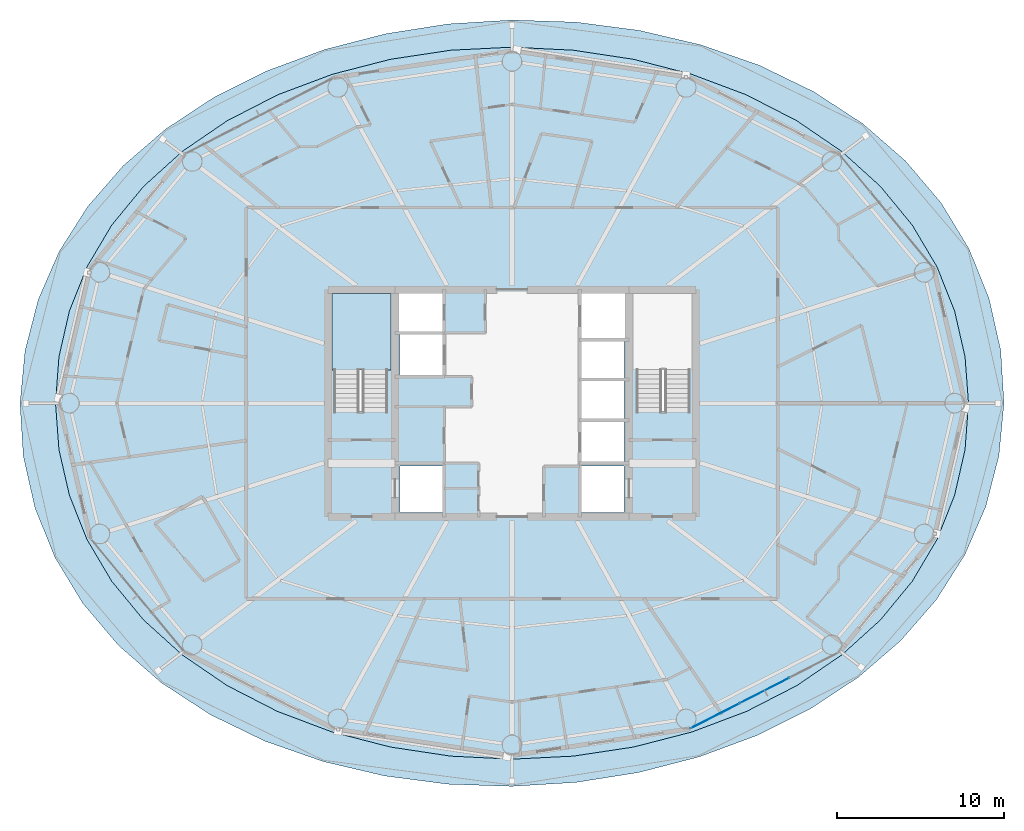
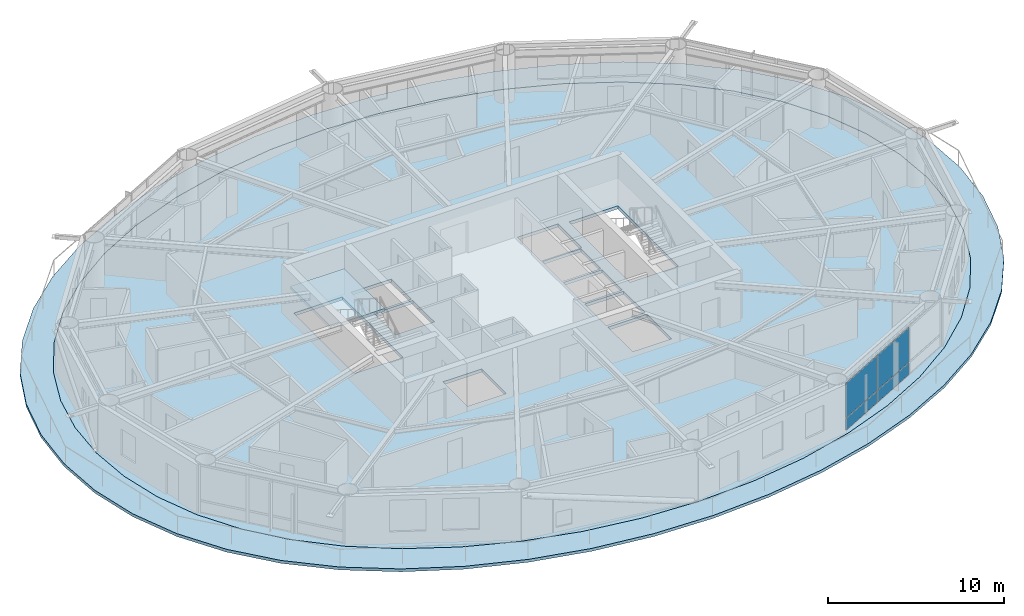
# One storey, part 17 of 28: 4 plates, 3 slabs, 2 elements without a shape of their own.
"""IFC4 building model written with IfcOpenShell, lengths in metres."""

from ifc_helpers import new_model, si_unit, direction, frame, origin, origin_2d, place, context, subcontext, project, spatial, polyline, rectangle, outline, extrude, material, layer, layer_set, type_object, element, aggregate, save


model = new_model("IFC4")

# Units and contexts
model_context = context("Model", 3, precision=1e-05, world=origin(), true_north=direction((0.0, 1.0)))
body_context = subcontext(model_context, "Body", "Model", "MODEL_VIEW")
ifc_project = project(units=[si_unit("LENGTHUNIT", "METRE"), si_unit("AREAUNIT", "SQUARE_METRE"), si_unit("VOLUMEUNIT", "CUBIC_METRE"), si_unit("PLANEANGLEUNIT", "RADIAN"), si_unit("MASSUNIT", "GRAM", prefix="KILO")], contexts=[model_context])

# Site, building, storey
site_placement = place(None, origin())
site = spatial("IfcSite", under=ifc_project, at=site_placement, CompositionType="ELEMENT")
building_placement = place(site_placement, origin())
building = spatial("IfcBuilding", under=site, at=building_placement, Name="Sarneth Arch Tower", CompositionType="ELEMENT")
storey_placement = place(building_placement, frame((0.0, 0.0, 179.39990234375)))
storey = spatial("IfcBuildingStorey", under=building, at=storey_placement, Name="L45", CompositionType="ELEMENT", Elevation=179.39990234375)

# Curtain wall, plates
ifc_material_1 = material(Name="Anodised aluminium Type AA25 and solar-control low-e laminated IGU", Category="aluminium")
ifc_layer_1 = layer(ifc_material_1, 0.169921875)
ifc_layer_set_1 = layer_set([ifc_layer_1], Name="Anodised aluminium Type AA25 and solar-control low-e laminated IGU")
curtain_wall_type = type_object("IfcCurtainWallType", Name="CW-RES-MID", PredefinedType="NOTDEFINED", material=ifc_layer_set_1)
curtain_wall_placement = place(storey_placement, origin())
curtain_wall = element("IfcCurtainWall", 1, at=curtain_wall_placement, inside=storey, type_object=curtain_wall_type, Name="L45 Unitised curtain wall facet 14", PredefinedType="NOTDEFINED")
ifc_material_2 = material(Name="Solar-control low-e laminated IGU", Category="glass")
ifc_layer_2 = layer(ifc_material_2, 0.028076171875)
ifc_layer_set_2 = layer_set([ifc_layer_2], Name="Solar-control low-e laminated IGU")
plate_type = type_object("IfcPlateType", Name="CW-PANEL", PredefinedType="CURTAIN_PANEL", material=ifc_layer_set_2)
plate_1_placement = place(storey_placement, frame((60.16162109375, 23.29296875, 0.06005859375), z_axis=(0.0, 0.0, 1.0), x_axis=(0.88987293003, 0.456208470329, 0.0)))
plate_1 = element("IfcPlate", 2, at=plate_1_placement, type_object=plate_type, Name="Curtain wall glazed vision pane CW-L45-F14/P00-00", PredefinedType="CURTAIN_PANEL", context=body_context, shape_type="SweptSolid", body=[
    extrude(rectangle(XDim=3.248779296875, YDim=0.028076171875, at=origin_2d()), origin(), (0.0, 0.0, 1.0), 0.81005859375),
])
plate_2_placement = place(storey_placement, frame((60.16162109375, 23.29296875, 0.93017578125), z_axis=(0.0, 0.0, 1.0), x_axis=(0.88987293003, 0.456208470329, 0.0)))
plate_2 = element("IfcPlate", 3, at=plate_2_placement, type_object=plate_type, Name="Curtain wall glazed vision pane CW-L45-F14/P00-01", PredefinedType="CURTAIN_PANEL", context=body_context, shape_type="SweptSolid", body=[
    extrude(rectangle(XDim=3.248779296875, YDim=0.028076171875, at=origin_2d()), origin(), (0.0, 0.0, 1.0), 2.389892578125),
])
plate_3_placement = place(storey_placement, frame((63.119384765625, 24.809326171875, 0.06005859375), z_axis=(0.0, 0.0, 1.0), x_axis=(0.88987293003, 0.456208470329, 0.0)))
plate_3 = element("IfcPlate", 4, at=plate_3_placement, type_object=plate_type, Name="Curtain wall glazed vision pane CW-L45-F14/P01-00", PredefinedType="CURTAIN_PANEL", context=body_context, shape_type="SweptSolid", body=[
    extrude(rectangle(XDim=3.27880859375, YDim=0.028076171875, at=origin_2d()), origin(), (0.0, 0.0, 1.0), 0.81005859375),
])
plate_4_placement = place(storey_placement, frame((63.119384765625, 24.809326171875, 0.93017578125), z_axis=(0.0, 0.0, 1.0), x_axis=(0.88987293003, 0.456208470329, 0.0)))
plate_4 = element("IfcPlate", 5, at=plate_4_placement, type_object=plate_type, Name="Curtain wall glazed vision pane CW-L45-F14/P01-01", PredefinedType="CURTAIN_PANEL", context=body_context, shape_type="SweptSolid", body=[
    extrude(rectangle(XDim=3.27880859375, YDim=0.028076171875, at=origin_2d()), origin(), (0.0, 0.0, 1.0), 2.389892578125),
])
aggregate(curtain_wall, [plate_1, plate_2, plate_3, plate_4])

# Slab
ifc_material_3 = material(Name="Concrete C50/60", Category="concrete")
ifc_layer_3 = layer(ifc_material_3, 0.199951171875)
ifc_layer_set_3 = layer_set([ifc_layer_3], Name="Concrete C50/60")
slab_type_1 = type_object("IfcSlabType", Name="SLAB-BALC-200", PredefinedType="FLOOR", material=ifc_layer_set_3)
slab_1_placement = place(storey_placement, frame((0.0, 0.0, -0.199951171875)))
element("IfcSlab", 6, at=slab_1_placement, inside=storey, type_object=slab_type_1, Name="L45 Helical balcony band slab", PredefinedType="FLOOR", context=body_context, shape_type="SweptSolid", body=[
    extrude(outline(polyline([(77.437255859375, 42.0), (77.24169921875, 45.161376953125), (76.544677734375, 48.260498046875), (75.3515625, 51.222412109375), (73.676513671875, 53.984375), (71.542236328125, 56.498291015625), (68.98388671875, 58.726318359375), (66.04931640625, 60.6396484375), (62.798583984375, 62.21630859375), (59.2998046875, 63.440673828125), (55.623046875, 64.302734375), (51.83544921875, 64.798095703125), (48.0, 64.926025390625), (44.17529296875, 64.6904296875), (40.418701171875, 64.09814453125), (36.78857421875, 63.15869140625), (33.34619140625, 61.884765625), (30.153076171875, 60.29052734375), (27.267333984375, 58.392578125), (24.73974609375, 56.209716796875), (22.60986328125, 53.762939453125), (20.906494140625, 51.078369140625), (19.651611328125, 48.189453125), (18.86474609375, 45.142578125), (18.562744140625, 42.0), (18.75830078125, 38.838623046875), (19.455322265625, 35.739501953125), (20.6484375, 32.777587890625), (22.323486328125, 30.015625), (24.457763671875, 27.501708984375), (27.01611328125, 25.273681640625), (29.95068359375, 23.3603515625), (33.201416015625, 21.78369140625), (36.7001953125, 20.559326171875), (40.376953125, 19.697265625), (44.16455078125, 19.201904296875), (48.0, 19.073974609375), (51.82470703125, 19.3095703125), (55.581298828125, 19.90185546875), (59.21142578125, 20.84130859375), (62.65380859375, 22.115234375), (65.846923828125, 23.70947265625), (68.732666015625, 25.607421875), (71.26025390625, 27.790283203125), (73.39013671875, 30.237060546875), (75.093505859375, 32.921630859375), (76.348388671875, 35.810546875), (77.13525390625, 38.857421875), (77.437255859375, 42.0)]), holes=[polyline([(75.313232421875, 42.0), (75.10595703125, 44.7802734375), (74.48095703125, 47.512939453125), (73.431396484375, 50.151123046875), (71.9521484375, 52.64990234375), (70.0458984375, 54.966552734375), (67.730712890625, 57.061279296875), (65.04052734375, 58.8984375), (62.025390625, 60.4462890625), (58.7470703125, 61.6787109375), (55.27197265625, 62.57421875), (51.667724609375, 63.11767578125), (48.0, 63.300048828125), (44.332275390625, 63.11767578125), (40.72802734375, 62.57421875), (37.2529296875, 61.6787109375), (33.974609375, 60.4462890625), (30.95947265625, 58.8984375), (28.269287109375, 57.061279296875), (25.9541015625, 54.966552734375), (24.0478515625, 52.64990234375), (22.568603515625, 50.151123046875), (21.51904296875, 47.512939453125), (20.89404296875, 44.7802734375), (20.686767578125, 42.0), (20.89404296875, 39.2197265625), (21.51904296875, 36.487060546875), (22.568603515625, 33.848876953125), (24.0478515625, 31.35009765625), (25.9541015625, 29.033447265625), (28.269287109375, 26.938720703125), (30.95947265625, 25.1015625), (33.974609375, 23.5537109375), (37.2529296875, 22.3212890625), (40.72802734375, 21.42578125), (44.332275390625, 20.88232421875), (48.0, 20.699951171875), (51.667724609375, 20.88232421875), (55.27197265625, 21.42578125), (58.7470703125, 22.3212890625), (62.025390625, 23.5537109375), (65.04052734375, 25.1015625), (67.730712890625, 26.938720703125), (70.0458984375, 29.033447265625), (71.9521484375, 31.35009765625), (73.431396484375, 33.848876953125), (74.48095703125, 36.487060546875), (75.10595703125, 39.2197265625), (75.313232421875, 42.0)])]), origin(), (0.0, 0.0, 1.0), 0.199951171875),
])

# Stair, slab
ifc_material_4 = material(Name="Concrete C50/60", Category="concrete")
stair_type = type_object("IfcStairType", Name="STAIR-CORE-RC", PredefinedType="HALF_TURN_STAIR", material=ifc_material_4)
stair_placement = place(storey_placement, origin())
stair = element("IfcStair", 7, at=stair_placement, inside=storey, type_object=stair_type, Name="L45 Core Exit Stair 1", PredefinedType="HALF_TURN_STAIR")
ifc_material_5 = material(Name="Concrete C50/60", Category="concrete")
ifc_layer_4 = layer(ifc_material_5, 0.199951171875)
ifc_layer_set_4 = layer_set([ifc_layer_4], Name="Concrete C50/60")
slab_type_2 = type_object("IfcSlabType", Name="SLAB-LANDING-200", PredefinedType="LANDING", material=ifc_layer_set_4)
slab_2_placement = place(storey_placement, frame((0.0, 0.0, 1.60009765625)))
slab_2 = element("IfcSlab", 8, at=slab_2_placement, type_object=slab_type_2, Name="ST-1 landing 1", PredefinedType="LANDING", context=body_context, shape_type="SweptSolid", body=[
    extrude(outline(polyline([(37.22509765625, 43.985107421875), (40.77490234375, 43.985107421875), (40.77490234375, 48.574951171875), (37.22509765625, 48.574951171875), (37.22509765625, 43.985107421875)])), origin(), (0.0, 0.0, 1.0), 0.199951171875),
])
aggregate(stair, [slab_2])

# Slab
ifc_material_6 = material(Name="Concrete C50/60", Category="concrete")
ifc_layer_5 = layer(ifc_material_6, 0.219970703125)
ifc_layer_set_5 = layer_set([ifc_layer_5], Name="Concrete C50/60")
slab_type_3 = type_object("IfcSlabType", Name="SLAB-TOWER-220", PredefinedType="FLOOR", material=ifc_layer_set_5)
slab_3_placement = place(storey_placement, frame((0.0, 0.0, -0.219970703125)))
element("IfcSlab", 9, at=slab_3_placement, inside=storey, type_object=slab_type_3, Name="L45 Elliptical floor slab", PredefinedType="FLOOR", context=body_context, shape_type="SweptSolid", body=[
    extrude(outline(polyline([(75.313232421875, 42.0), (75.10595703125, 44.7802734375), (74.48095703125, 47.512939453125), (73.431396484375, 50.151123046875), (71.9521484375, 52.64990234375), (70.0458984375, 54.966552734375), (67.730712890625, 57.061279296875), (65.04052734375, 58.8984375), (62.025390625, 60.4462890625), (58.7470703125, 61.6787109375), (55.27197265625, 62.57421875), (51.667724609375, 63.11767578125), (48.0, 63.300048828125), (44.332275390625, 63.11767578125), (40.72802734375, 62.57421875), (37.2529296875, 61.6787109375), (33.974609375, 60.4462890625), (30.95947265625, 58.8984375), (28.269287109375, 57.061279296875), (25.9541015625, 54.966552734375), (24.0478515625, 52.64990234375), (22.568603515625, 50.151123046875), (21.51904296875, 47.512939453125), (20.89404296875, 44.7802734375), (20.686767578125, 42.0), (20.89404296875, 39.2197265625), (21.51904296875, 36.487060546875), (22.568603515625, 33.848876953125), (24.0478515625, 31.35009765625), (25.9541015625, 29.033447265625), (28.269287109375, 26.938720703125), (30.95947265625, 25.1015625), (33.974609375, 23.5537109375), (37.2529296875, 22.3212890625), (40.72802734375, 21.42578125), (44.332275390625, 20.88232421875), (48.0, 20.699951171875), (51.667724609375, 20.88232421875), (55.27197265625, 21.42578125), (58.7470703125, 22.3212890625), (62.025390625, 23.5537109375), (65.04052734375, 25.1015625), (67.730712890625, 26.938720703125), (70.0458984375, 29.033447265625), (71.9521484375, 31.35009765625), (73.431396484375, 33.848876953125), (74.48095703125, 36.487060546875), (75.10595703125, 39.2197265625), (75.313232421875, 42.0)]), holes=[polyline([(37.35009765625, 41.489990234375), (40.550048828125, 41.489990234375), (40.550048828125, 48.39990234375), (37.35009765625, 48.39990234375), (37.35009765625, 41.489990234375)]), polyline([(55.449951171875, 41.489990234375), (58.64990234375, 41.489990234375), (58.64990234375, 48.39990234375), (55.449951171875, 48.39990234375), (55.449951171875, 41.489990234375)]), polyline([(41.199951171875, 46.25), (43.85009765625, 46.25), (43.85009765625, 48.550048828125), (41.199951171875, 48.550048828125), (41.199951171875, 46.25)]), polyline([(41.300048828125, 35.449951171875), (43.85009765625, 35.449951171875), (43.85009765625, 38.25), (41.300048828125, 38.25), (41.300048828125, 35.449951171875)]), polyline([(52.14990234375, 35.449951171875), (54.699951171875, 35.449951171875), (54.699951171875, 38.25), (52.14990234375, 38.25), (52.14990234375, 35.449951171875)]), polyline([(52.14990234375, 45.85009765625), (54.800048828125, 45.85009765625), (54.800048828125, 48.550048828125), (52.14990234375, 48.550048828125), (52.14990234375, 45.85009765625)]), polyline([(41.300048828125, 43.64990234375), (43.85009765625, 43.64990234375), (43.85009765625, 46.10009765625), (41.300048828125, 46.10009765625), (41.300048828125, 43.64990234375)]), polyline([(52.14990234375, 38.449951171875), (54.699951171875, 38.449951171875), (54.699951171875, 40.89990234375), (52.14990234375, 40.89990234375), (52.14990234375, 38.449951171875)]), polyline([(52.14990234375, 41.050048828125), (54.699951171875, 41.050048828125), (54.699951171875, 43.35009765625), (52.14990234375, 43.35009765625), (52.14990234375, 41.050048828125)]), polyline([(52.14990234375, 43.5), (54.699951171875, 43.5), (54.699951171875, 45.75), (52.14990234375, 45.75), (52.14990234375, 43.5)])]), origin(), (0.0, 0.0, 1.0), 0.219970703125),
])

save(model, "model.ifc")
